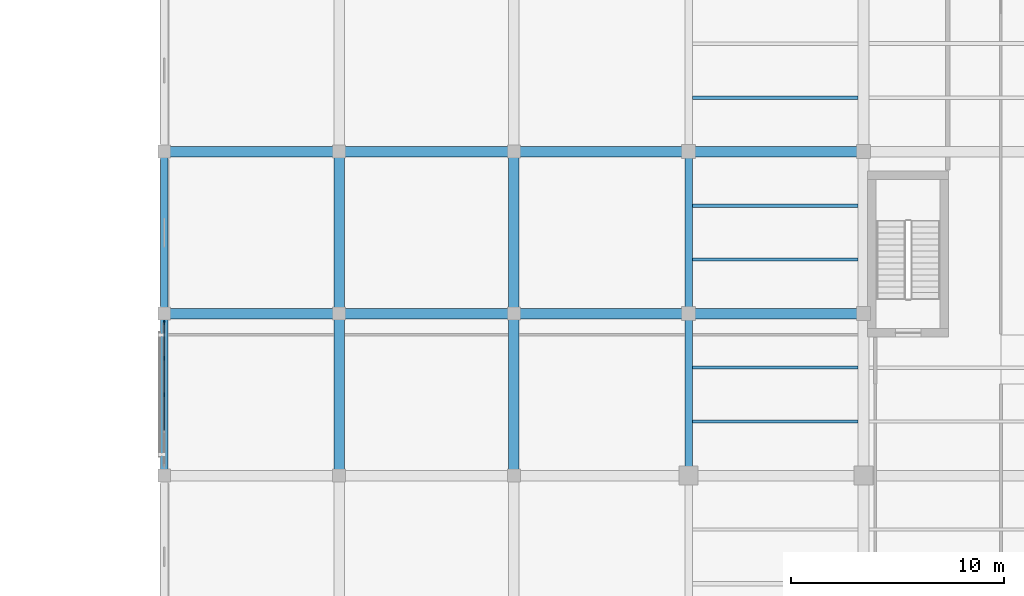
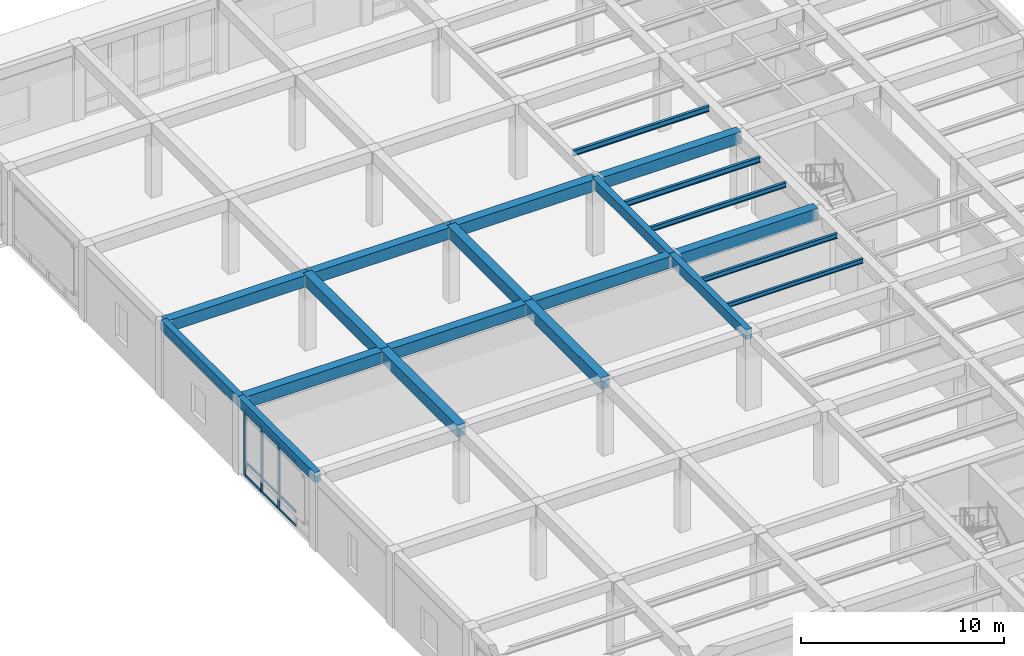
# One storey, part 14 of 49: 21 beams, 12 members, 1 element without a shape of its own.
"""IFC4 building model written with IfcOpenShell, lengths in metres."""

from ifc_helpers import new_model, si_unit, direction, frame, origin, origin_2d, place, context, subcontext, project, spatial, rectangle, i_section, extrude, material, material_profile, profile_set, type_object, element, aggregate, save


model = new_model("IFC4")

# Units and contexts
model_context = context("Model", 3, precision=1e-05, world=origin(), true_north=direction((0.0, 1.0)))
body_context = subcontext(model_context, "Body", "Model", "MODEL_VIEW")
ifc_project = project(units=[si_unit("LENGTHUNIT", "METRE"), si_unit("AREAUNIT", "SQUARE_METRE"), si_unit("VOLUMEUNIT", "CUBIC_METRE"), si_unit("PLANEANGLEUNIT", "RADIAN"), si_unit("MASSUNIT", "GRAM", prefix="KILO")], contexts=[model_context])

# Site, building, storey
site_placement = place(None, origin())
site = spatial("IfcSite", under=ifc_project, at=site_placement, CompositionType="ELEMENT")
building_placement = place(site_placement, origin())
building = spatial("IfcBuilding", under=site, at=building_placement, Name="Qandaris Square Conservatory and Botanical Centre", CompositionType="ELEMENT")
storey_placement = place(building_placement, frame((0.0, 0.0, 10.199951171875)))
storey = spatial("IfcBuildingStorey", under=building, at=storey_placement, Name="L02", CompositionType="ELEMENT", Elevation=10.199951171875)

# Beams
ifc_material_1 = material(Name="Steel S355", Category="steel")
ifc_material_profile_1 = material_profile(ifc_material_1, i_section(OverallWidth=0.14990234375, OverallDepth=0.300048828125, WebThickness=0.007080078125, FlangeThickness=0.0107421875, FilletRadius=0.014892578125, at=origin_2d()), Name="IPE 300")
ifc_profile_set_1 = profile_set([ifc_material_profile_1], Name="Steel S355")
beam_type_1 = type_object("IfcBeamType", Name="Composite Lab Joist IPE 300", PredefinedType="JOIST", material=ifc_profile_set_1)
for number, where, z_axis, x_axis, name in (
    (1, (139.375, 67.2666015625, 4.35009765625), (1.0, 0.0, 0.0), (0.0, 1.0, 0.0), "L02 Composite Joist 1493"),
    (2, (139.375, 72.333251953125, 4.35009765625), (1.0, 0.0, 0.0), (0.0, 1.0, 0.0), "L02 Composite Joist 1494"),
):
    element("IfcBeam", number, at=place(storey_placement, frame(where, z_axis=z_axis, x_axis=x_axis)), inside=storey, type_object=beam_type_1, Name=name, PredefinedType="JOIST", context=body_context, shape_type="SweptSolid", body=[
        extrude(i_section(OverallWidth=0.14990234375, OverallDepth=0.300048828125, WebThickness=0.007080078125, FlangeThickness=0.0107421875, FilletRadius=0.014892578125, at=origin_2d()), origin(), (0.0, 0.0, 1.0), 7.77490234375),
    ])
ifc_material_profile_2 = material_profile(ifc_material_1, i_section(OverallWidth=0.159912109375, OverallDepth=0.330078125, WebThickness=0.007568359375, FlangeThickness=0.011474609375, FilletRadius=0.01806640625, at=origin_2d()), Name="IPE 330")
ifc_profile_set_2 = profile_set([ifc_material_profile_2], Name="Steel S355")
beam_type_2 = type_object("IfcBeamType", Name="Composite Lab Joist IPE 330", PredefinedType="JOIST", material=ifc_profile_set_2)
for number, where, z_axis, x_axis, name in (
    (3, (139.375, 74.86669921875, 4.3349609375), (1.0, 0.0, 0.0), (0.0, 1.0, 0.0), "L02 Composite Joist 1495"),
    (4, (139.375, 79.933349609375, 4.3349609375), (1.0, 0.0, 0.0), (0.0, 1.0, 0.0), "L02 Composite Joist 1496"),
):
    element("IfcBeam", number, at=place(storey_placement, frame(where, z_axis=z_axis, x_axis=x_axis)), inside=storey, type_object=beam_type_2, Name=name, PredefinedType="JOIST", context=body_context, shape_type="SweptSolid", body=[
        extrude(i_section(OverallWidth=0.159912109375, OverallDepth=0.330078125, WebThickness=0.007568359375, FlangeThickness=0.011474609375, FilletRadius=0.01806640625, at=origin_2d()), origin(), (0.0, 0.0, 1.0), 7.77490234375),
    ])

# Curtain wall, members
ifc_material_2 = material(Name="Anodised Aluminium", Category="aluminium")
curtain_wall_type = type_object("IfcCurtainWallType", Name="Unitised Curtain Wall CW-4-680x394", PredefinedType="USERDEFINED", material=ifc_material_2)
curtain_wall_placement = place(storey_placement, origin())
curtain_wall = element("IfcCurtainWall", 5, at=curtain_wall_placement, inside=storey, type_object=curtain_wall_type, Name="Curtain Wall CW-TWR-L02-4-5", ObjectType="GLAZED CURTAIN WALL", PredefinedType="USERDEFINED")
ifc_material_profile_3 = material_profile(ifc_material_2, rectangle(XDim=0.06494140625, YDim=0.179931640625, at=origin_2d()), Name="ALU-MUL 65x180")
ifc_profile_set_3 = profile_set([ifc_material_profile_3], Name="Anodised Aluminium")
member_type_1 = type_object("IfcMemberType", Name="Curtain Wall Mullion 65x180", PredefinedType="MULLION", material=ifc_profile_set_3)
member_1_placement = place(storey_placement, frame((114.60009765625, 69.367431640625, 0.0), z_axis=(0.0, 0.0, 1.0), x_axis=(1.0, 0.0, 0.0)))
member_1 = element("IfcMember", 6, at=member_1_placement, type_object=member_type_1, Name="CW-4-680x394 mullion 1", PredefinedType="MULLION", context=body_context, shape_type="SweptSolid", body=[
    extrude(rectangle(XDim=0.06494140625, YDim=0.179931640625, at=origin_2d()), origin(), (0.0, 0.0, 1.0), 3.945068359375),
])
member_2_placement = place(storey_placement, frame((114.60009765625, 67.699951171875, 0.0), z_axis=(0.0, 0.0, 1.0), x_axis=(1.0, 0.0, 0.0)))
member_2 = element("IfcMember", 7, at=member_2_placement, type_object=member_type_1, Name="CW-4-680x394 mullion 2", PredefinedType="MULLION", context=body_context, shape_type="SweptSolid", body=[
    extrude(rectangle(XDim=0.06494140625, YDim=0.179931640625, at=origin_2d()), origin(), (0.0, 0.0, 1.0), 3.945068359375),
])
member_3_placement = place(storey_placement, frame((114.60009765625, 66.0, 0.0), z_axis=(0.0, 0.0, 1.0), x_axis=(1.0, 0.0, 0.0)))
member_3 = element("IfcMember", 8, at=member_3_placement, type_object=member_type_1, Name="CW-4-680x394 mullion 3", PredefinedType="MULLION", context=body_context, shape_type="SweptSolid", body=[
    extrude(rectangle(XDim=0.06494140625, YDim=0.179931640625, at=origin_2d()), origin(), (0.0, 0.0, 1.0), 3.945068359375),
])
ifc_material_profile_4 = material_profile(ifc_material_2, rectangle(XDim=0.06494140625, YDim=0.139892578125, at=origin_2d()), Name="ALU-TRN 65x140")
ifc_profile_set_4 = profile_set([ifc_material_profile_4], Name="Anodised Aluminium")
member_type_2 = type_object("IfcMemberType", Name="Curtain Wall Transom 65x140", PredefinedType="USERDEFINED", material=ifc_profile_set_4)
member_4_placement = place(storey_placement, frame((114.60009765625, 69.3349609375, 0.032470703125), z_axis=(0.0, -1.0, 0.0), x_axis=(1.0, 0.0, 0.0)))
member_4 = element("IfcMember", 9, at=member_4_placement, type_object=member_type_2, Name="CW-4-680x394 transom 1.1", ObjectType="TRANSOM", PredefinedType="USERDEFINED", context=body_context, shape_type="SweptSolid", body=[
    extrude(rectangle(XDim=0.06494140625, YDim=0.139892578125, at=origin_2d()), origin(), (0.0, 0.0, 1.0), 1.6025390625),
])
member_5_placement = place(storey_placement, frame((114.60009765625, 69.3349609375, 0.85009765625), z_axis=(0.0, -1.0, 0.0), x_axis=(1.0, 0.0, 0.0)))
member_5 = element("IfcMember", 10, at=member_5_placement, type_object=member_type_2, Name="CW-4-680x394 transom 1.2", ObjectType="TRANSOM", PredefinedType="USERDEFINED", context=body_context, shape_type="SweptSolid", body=[
    extrude(rectangle(XDim=0.06494140625, YDim=0.139892578125, at=origin_2d()), origin(), (0.0, 0.0, 1.0), 1.6025390625),
])
member_6_placement = place(storey_placement, frame((114.60009765625, 69.3349609375, 3.91259765625), z_axis=(0.0, -1.0, 0.0), x_axis=(1.0, 0.0, 0.0)))
member_6 = element("IfcMember", 11, at=member_6_placement, type_object=member_type_2, Name="CW-4-680x394 transom 1.3", ObjectType="TRANSOM", PredefinedType="USERDEFINED", context=body_context, shape_type="SweptSolid", body=[
    extrude(rectangle(XDim=0.06494140625, YDim=0.139892578125, at=origin_2d()), origin(), (0.0, 0.0, 1.0), 1.6025390625),
])
member_7_placement = place(storey_placement, frame((114.60009765625, 67.66748046875, 0.032470703125), z_axis=(0.0, -1.0, 0.0), x_axis=(1.0, 0.0, 0.0)))
member_7 = element("IfcMember", 12, at=member_7_placement, type_object=member_type_2, Name="CW-4-680x394 transom 2.1", ObjectType="TRANSOM", PredefinedType="USERDEFINED", context=body_context, shape_type="SweptSolid", body=[
    extrude(rectangle(XDim=0.06494140625, YDim=0.139892578125, at=origin_2d()), origin(), (0.0, 0.0, 1.0), 1.635009765625),
])
member_8_placement = place(storey_placement, frame((114.60009765625, 67.66748046875, 0.85009765625), z_axis=(0.0, -1.0, 0.0), x_axis=(1.0, 0.0, 0.0)))
member_8 = element("IfcMember", 13, at=member_8_placement, type_object=member_type_2, Name="CW-4-680x394 transom 2.2", ObjectType="TRANSOM", PredefinedType="USERDEFINED", context=body_context, shape_type="SweptSolid", body=[
    extrude(rectangle(XDim=0.06494140625, YDim=0.139892578125, at=origin_2d()), origin(), (0.0, 0.0, 1.0), 1.635009765625),
])
member_9_placement = place(storey_placement, frame((114.60009765625, 67.66748046875, 3.91259765625), z_axis=(0.0, -1.0, 0.0), x_axis=(1.0, 0.0, 0.0)))
member_9 = element("IfcMember", 14, at=member_9_placement, type_object=member_type_2, Name="CW-4-680x394 transom 2.3", ObjectType="TRANSOM", PredefinedType="USERDEFINED", context=body_context, shape_type="SweptSolid", body=[
    extrude(rectangle(XDim=0.06494140625, YDim=0.139892578125, at=origin_2d()), origin(), (0.0, 0.0, 1.0), 1.635009765625),
])
member_10_placement = place(storey_placement, frame((114.60009765625, 65.967529296875, 0.032470703125), z_axis=(0.0, -1.0, 0.0), x_axis=(1.0, 0.0, 0.0)))
member_10 = element("IfcMember", 15, at=member_10_placement, type_object=member_type_2, Name="CW-4-680x394 transom 3.1", ObjectType="TRANSOM", PredefinedType="USERDEFINED", context=body_context, shape_type="SweptSolid", body=[
    extrude(rectangle(XDim=0.06494140625, YDim=0.139892578125, at=origin_2d()), origin(), (0.0, 0.0, 1.0), 1.635009765625),
])
member_11_placement = place(storey_placement, frame((114.60009765625, 65.967529296875, 0.85009765625), z_axis=(0.0, -1.0, 0.0), x_axis=(1.0, 0.0, 0.0)))
member_11 = element("IfcMember", 16, at=member_11_placement, type_object=member_type_2, Name="CW-4-680x394 transom 3.2", ObjectType="TRANSOM", PredefinedType="USERDEFINED", context=body_context, shape_type="SweptSolid", body=[
    extrude(rectangle(XDim=0.06494140625, YDim=0.139892578125, at=origin_2d()), origin(), (0.0, 0.0, 1.0), 1.635009765625),
])
member_12_placement = place(storey_placement, frame((114.60009765625, 65.967529296875, 3.91259765625), z_axis=(0.0, -1.0, 0.0), x_axis=(1.0, 0.0, 0.0)))
member_12 = element("IfcMember", 17, at=member_12_placement, type_object=member_type_2, Name="CW-4-680x394 transom 3.3", ObjectType="TRANSOM", PredefinedType="USERDEFINED", context=body_context, shape_type="SweptSolid", body=[
    extrude(rectangle(XDim=0.06494140625, YDim=0.139892578125, at=origin_2d()), origin(), (0.0, 0.0, 1.0), 1.635009765625),
])
aggregate(curtain_wall, [member_1, member_2, member_3, member_4, member_5, member_6, member_7, member_8, member_9, member_10, member_11, member_12])

# Beams
ifc_material_3 = material(Name="Concrete C50/60", Category="concrete")
ifc_material_profile_5 = material_profile(ifc_material_3, rectangle(XDim=0.35009765625, YDim=0.60009765625, at=origin_2d()), Name="RC-SP 350x600")
ifc_profile_set_5 = profile_set([ifc_material_profile_5], Name="Concrete C50/60")
beam_type_3 = type_object("IfcBeamType", Name="RC Edge Spandrel Beam 350x600", PredefinedType="SPANDREL", material=ifc_profile_set_5)
beam_1_placement = place(storey_placement, frame((114.60009765625, 62.199951171875, 4.2451171875), z_axis=(0.0, 1.0, 0.0), x_axis=(-1.0, 0.0, 0.0)))
element("IfcBeam", 18, at=beam_1_placement, inside=storey, type_object=beam_type_3, Name="L02 Frame Beam 1390", PredefinedType="SPANDREL", context=body_context, shape_type="SweptSolid", body=[
    extrude(rectangle(XDim=0.35009765625, YDim=0.60009765625, at=origin_2d()), origin(), (0.0, 0.0, 1.0), 7.60009765625),
])
beam_2_placement = place(storey_placement, frame((114.60009765625, 69.800048828125, 4.2451171875), z_axis=(0.0, 1.0, 0.0), x_axis=(-1.0, 0.0, 0.0)))
element("IfcBeam", 19, at=beam_2_placement, inside=storey, type_object=beam_type_3, Name="L02 Frame Beam 1391", PredefinedType="SPANDREL", context=body_context, shape_type="SweptSolid", body=[
    extrude(rectangle(XDim=0.35009765625, YDim=0.60009765625, at=origin_2d()), origin(), (0.0, 0.0, 1.0), 7.599853515625),
])
beam_3_placement = place(storey_placement, frame((139.199951171875, 62.199951171875, 4.2451171875), z_axis=(0.0, 1.0, 0.0), x_axis=(-1.0, 0.0, 0.0)))
element("IfcBeam", 20, at=beam_3_placement, inside=storey, type_object=beam_type_3, Name="L02 Frame Beam 1423", PredefinedType="SPANDREL", context=body_context, shape_type="SweptSolid", body=[
    extrude(rectangle(XDim=0.35009765625, YDim=0.60009765625, at=origin_2d()), origin(), (0.0, 0.0, 1.0), 7.60009765625),
])
beam_4_placement = place(storey_placement, frame((139.199951171875, 69.800048828125, 4.2451171875), z_axis=(0.0, 1.0, 0.0), x_axis=(-1.0, 0.0, 0.0)))
element("IfcBeam", 21, at=beam_4_placement, inside=storey, type_object=beam_type_3, Name="L02 Frame Beam 1424", PredefinedType="SPANDREL", context=body_context, shape_type="SweptSolid", body=[
    extrude(rectangle(XDim=0.35009765625, YDim=0.60009765625, at=origin_2d()), origin(), (0.0, 0.0, 1.0), 7.599853515625),
])
ifc_material_profile_6 = material_profile(ifc_material_3, rectangle(XDim=0.5, YDim=0.699951171875, at=origin_2d()), Name="RC-BM 500x700")
ifc_profile_set_6 = profile_set([ifc_material_profile_6], Name="Concrete C50/60")
beam_type_4 = type_object("IfcBeamType", Name="RC Floor Girder 500x700", PredefinedType="BEAM", material=ifc_profile_set_6)
for number, where, z_axis, x_axis, name in (
    (22, (114.60009765625, 69.800048828125, 4.195068359375), (1.0, 0.0, 0.0), (0.0, 1.0, 0.0), "L02 Frame Beam 1348"),
    (23, (122.800048828125, 69.800048828125, 4.195068359375), (1.0, 0.0, 0.0), (0.0, 1.0, 0.0), "L02 Frame Beam 1349"),
    (24, (131.0, 69.800048828125, 4.195068359375), (1.0, 0.0, 0.0), (0.0, 1.0, 0.0), "L02 Frame Beam 1350"),
    (25, (139.199951171875, 69.800048828125, 4.16015625), (1.0, 0.0, 0.0), (0.0, 1.0, 0.0), "L02 Frame Beam 1351"),
    (26, (114.60009765625, 77.39990234375, 4.195068359375), (1.0, 0.0, 0.0), (0.0, 1.0, 0.0), "L02 Frame Beam 1353"),
    (27, (122.800048828125, 77.39990234375, 4.195068359375), (1.0, 0.0, 0.0), (0.0, 1.0, 0.0), "L02 Frame Beam 1354"),
    (28, (131.0, 77.39990234375, 4.195068359375), (1.0, 0.0, 0.0), (0.0, 1.0, 0.0), "L02 Frame Beam 1355"),
    (29, (139.199951171875, 77.39990234375, 4.16015625), (1.0, 0.0, 0.0), (0.0, 1.0, 0.0), "L02 Frame Beam 1356"),
):
    element("IfcBeam", number, at=place(storey_placement, frame(where, z_axis=z_axis, x_axis=x_axis)), inside=storey, type_object=beam_type_4, Name=name, PredefinedType="BEAM", context=body_context, shape_type="SweptSolid", body=[
        extrude(rectangle(XDim=0.5, YDim=0.699951171875, at=origin_2d()), origin(), (0.0, 0.0, 1.0), 8.199951171875),
    ])
beam_5_placement = place(storey_placement, frame((122.800048828125, 62.199951171875, 4.195068359375), z_axis=(0.0, 1.0, 0.0), x_axis=(-1.0, 0.0, 0.0)))
element("IfcBeam", 30, at=beam_5_placement, inside=storey, type_object=beam_type_4, Name="L02 Frame Beam 1401", PredefinedType="BEAM", context=body_context, shape_type="SweptSolid", body=[
    extrude(rectangle(XDim=0.5, YDim=0.699951171875, at=origin_2d()), origin(), (0.0, 0.0, 1.0), 7.60009765625),
])
beam_6_placement = place(storey_placement, frame((122.800048828125, 69.800048828125, 4.195068359375), z_axis=(0.0, 1.0, 0.0), x_axis=(-1.0, 0.0, 0.0)))
element("IfcBeam", 31, at=beam_6_placement, inside=storey, type_object=beam_type_4, Name="L02 Frame Beam 1402", PredefinedType="BEAM", context=body_context, shape_type="SweptSolid", body=[
    extrude(rectangle(XDim=0.5, YDim=0.699951171875, at=origin_2d()), origin(), (0.0, 0.0, 1.0), 7.599853515625),
])
beam_7_placement = place(storey_placement, frame((131.0, 62.199951171875, 4.195068359375), z_axis=(0.0, 1.0, 0.0), x_axis=(-1.0, 0.0, 0.0)))
element("IfcBeam", 32, at=beam_7_placement, inside=storey, type_object=beam_type_4, Name="L02 Frame Beam 1412", PredefinedType="BEAM", context=body_context, shape_type="SweptSolid", body=[
    extrude(rectangle(XDim=0.5, YDim=0.699951171875, at=origin_2d()), origin(), (0.0, 0.0, 1.0), 7.60009765625),
])
beam_8_placement = place(storey_placement, frame((131.0, 69.800048828125, 4.195068359375), z_axis=(0.0, 1.0, 0.0), x_axis=(-1.0, 0.0, 0.0)))
element("IfcBeam", 33, at=beam_8_placement, inside=storey, type_object=beam_type_4, Name="L02 Frame Beam 1413", PredefinedType="BEAM", context=body_context, shape_type="SweptSolid", body=[
    extrude(rectangle(XDim=0.5, YDim=0.699951171875, at=origin_2d()), origin(), (0.0, 0.0, 1.0), 7.599853515625),
])
ifc_material_profile_7 = material_profile(ifc_material_1, i_section(OverallWidth=0.135009765625, OverallDepth=0.27001953125, WebThickness=0.006591796875, FlangeThickness=0.01025390625, FilletRadius=0.014892578125, at=origin_2d()), Name="IPE 270")
ifc_profile_set_7 = profile_set([ifc_material_profile_7], Name="Steel S355")
beam_type_5 = type_object("IfcBeamType", Name="Steel Floor Joist IPE 270", PredefinedType="JOIST", material=ifc_profile_set_7)
beam_9_placement = place(storey_placement, frame((139.375, 64.7333984375, 4.364990234375), z_axis=(1.0, 0.0, 0.0), x_axis=(0.0, 1.0, 0.0)))
element("IfcBeam", 34, at=beam_9_placement, inside=storey, type_object=beam_type_5, Name="L02 Composite Joist 1492", PredefinedType="JOIST", context=body_context, shape_type="SweptSolid", body=[
    extrude(i_section(OverallWidth=0.135009765625, OverallDepth=0.27001953125, WebThickness=0.006591796875, FlangeThickness=0.01025390625, FilletRadius=0.014892578125, at=origin_2d()), origin(), (0.0, 0.0, 1.0), 7.77490234375),
])

save(model, "model.ifc")
